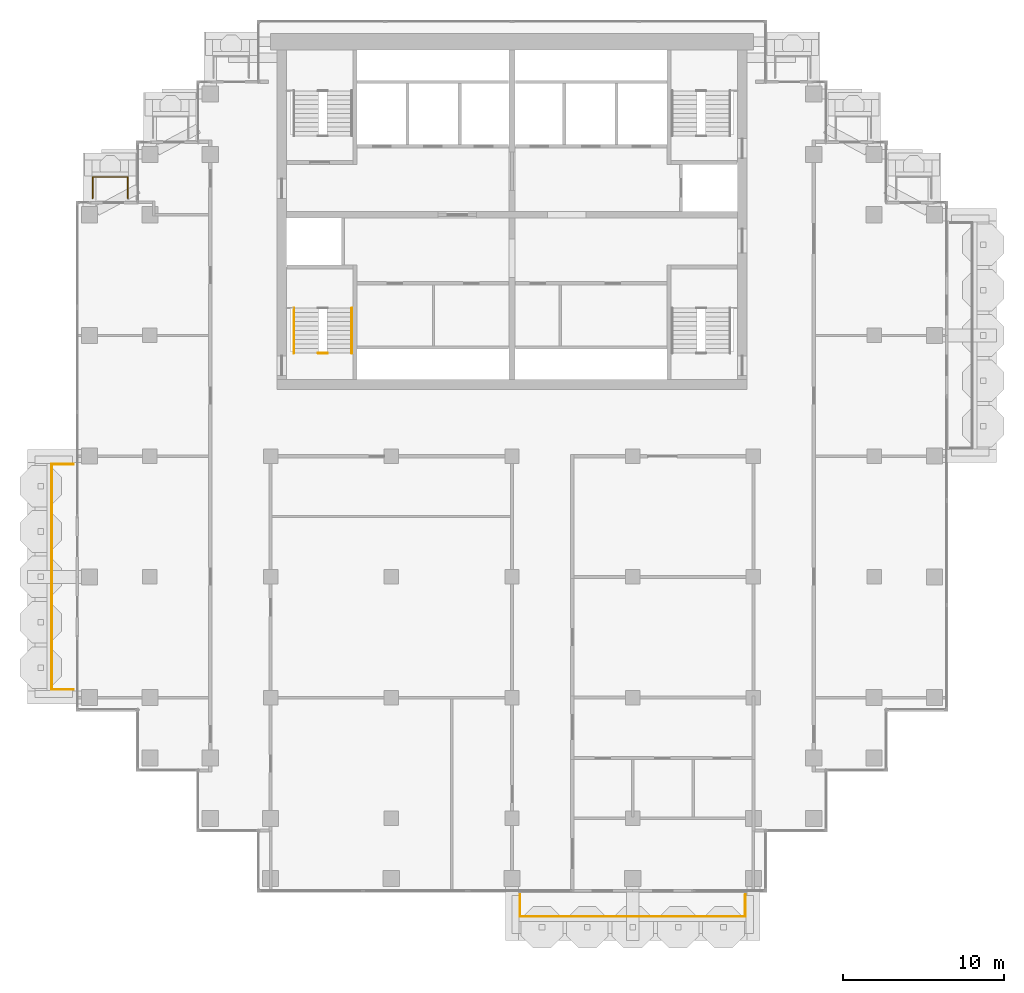
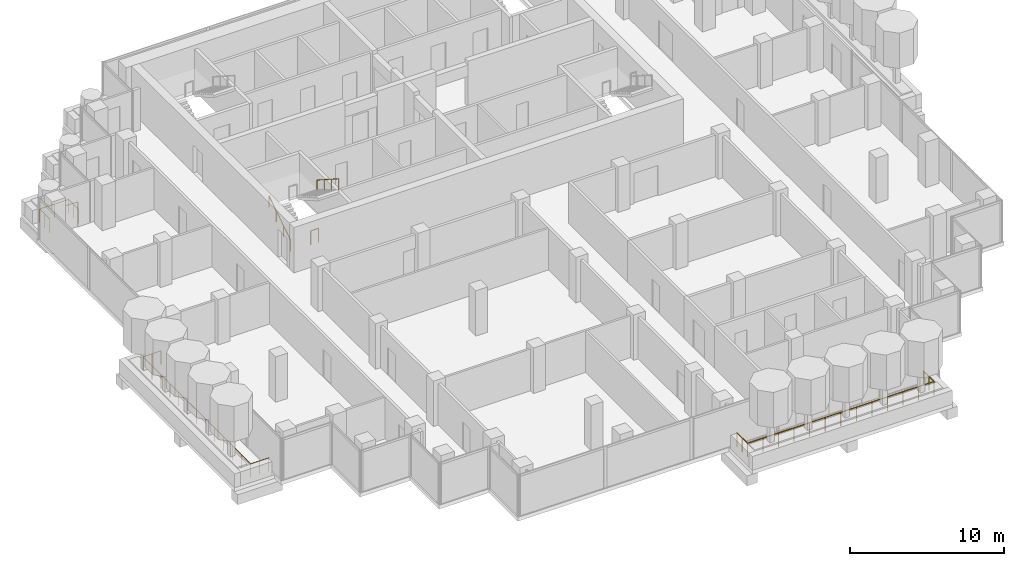
# One storey, part 15 of 18: 6 railings.
"""IFC4 building model written with IfcOpenShell, lengths in metres."""

from ifc_helpers import new_model, si_unit, direction, frame, origin, origin_2d, place, context, subcontext, project, spatial, circle, extrude, material, type_object, element, save


model = new_model("IFC4")

# Units and contexts
model_context = context("Model", 3, precision=1e-05, world=origin(), true_north=direction((0.0, 1.0)))
body_context = subcontext(model_context, "Body", "Model", "MODEL_VIEW")
ifc_project = project(units=[si_unit("LENGTHUNIT", "METRE"), si_unit("AREAUNIT", "SQUARE_METRE"), si_unit("VOLUMEUNIT", "CUBIC_METRE"), si_unit("PLANEANGLEUNIT", "RADIAN"), si_unit("MASSUNIT", "GRAM", prefix="KILO")], contexts=[model_context])

# Site, building, storey
site_placement = place(None, origin())
site = spatial("IfcSite", under=ifc_project, at=site_placement, CompositionType="ELEMENT")
building_placement = place(site_placement, origin())
building = spatial("IfcBuilding", under=site, at=building_placement, Name="Pilkhan Gate Tower", CompositionType="ELEMENT")
storey_placement = place(building_placement, frame((0.0, 0.0, 195.89990234375)))
storey = spatial("IfcBuildingStorey", under=building, at=storey_placement, Name="L50", CompositionType="ELEMENT", Elevation=195.89990234375)

# Railings
ifc_material_1 = material(Name="Pale anodised aluminium posts, laminated glass infill", Category="aluminium")
railing_type_1 = type_object("IfcRailingType", Name="Balcony guard G1", PredefinedType="BALUSTRADE", material=ifc_material_1)
railing_1_placement = place(storey_placement, frame((75.5, 40.25, 0.0)))
element("IfcRailing", 1, at=railing_1_placement, inside=storey, type_object=railing_type_1, Name="Balcony guard L50 S", PredefinedType="BALUSTRADE", context=body_context, shape_type="SweptSolid", body=[
    extrude(circle(Radius=0.02392578125, at=origin_2d()), frame((0.0, 0.0, 1.076171875), z_axis=(0.0, -1.0, 0.0), x_axis=(1.0, 0.0, 0.0)), (0.0, 0.0, 1.0), 1.35009765625),
    extrude(circle(Radius=0.02392578125, at=origin_2d()), frame((0.0, -1.35009765625, 1.076171875), z_axis=(1.0, 0.0, 0.0), x_axis=(0.0, 1.0, 0.0)), (0.0, 0.0, 1.0), 14.0),
    extrude(circle(Radius=0.02392578125, at=origin_2d()), frame((14.0, -1.35009765625, 1.076171875), z_axis=(0.0, 1.0, 0.0), x_axis=(-1.0, 0.0, 0.0)), (0.0, 0.0, 1.0), 1.35009765625),
    extrude(circle(Radius=0.02099609375, at=origin_2d()), origin(), (0.0, 0.0, 1.0), 1.052001953125),
    extrude(circle(Radius=0.02099609375, at=origin_2d()), frame((0.0, -0.675048828125, 0.0)), (0.0, 0.0, 1.0), 1.052001953125),
    extrude(circle(Radius=0.02099609375, at=origin_2d()), frame((0.0, -1.35009765625, 0.0)), (0.0, 0.0, 1.0), 1.052001953125),
    extrude(circle(Radius=0.02099609375, at=origin_2d()), frame((1.166748046875, -1.35009765625, 0.0)), (0.0, 0.0, 1.0), 1.052001953125),
    extrude(circle(Radius=0.02099609375, at=origin_2d()), frame((2.333251953125, -1.35009765625, 0.0)), (0.0, 0.0, 1.0), 1.052001953125),
    extrude(circle(Radius=0.02099609375, at=origin_2d()), frame((3.5, -1.35009765625, 0.0)), (0.0, 0.0, 1.0), 1.052001953125),
    extrude(circle(Radius=0.02099609375, at=origin_2d()), frame((4.666748046875, -1.35009765625, 0.0)), (0.0, 0.0, 1.0), 1.052001953125),
    extrude(circle(Radius=0.02099609375, at=origin_2d()), frame((5.833251953125, -1.35009765625, 0.0)), (0.0, 0.0, 1.0), 1.052001953125),
    extrude(circle(Radius=0.02099609375, at=origin_2d()), frame((7.0, -1.35009765625, 0.0)), (0.0, 0.0, 1.0), 1.052001953125),
    extrude(circle(Radius=0.02099609375, at=origin_2d()), frame((8.166748046875, -1.35009765625, 0.0)), (0.0, 0.0, 1.0), 1.052001953125),
    extrude(circle(Radius=0.02099609375, at=origin_2d()), frame((9.333251953125, -1.35009765625, 0.0)), (0.0, 0.0, 1.0), 1.052001953125),
    extrude(circle(Radius=0.02099609375, at=origin_2d()), frame((10.5, -1.35009765625, 0.0)), (0.0, 0.0, 1.0), 1.052001953125),
    extrude(circle(Radius=0.02099609375, at=origin_2d()), frame((11.666748046875, -1.35009765625, 0.0)), (0.0, 0.0, 1.0), 1.052001953125),
    extrude(circle(Radius=0.02099609375, at=origin_2d()), frame((12.833251953125, -1.35009765625, 0.0)), (0.0, 0.0, 1.0), 1.052001953125),
    extrude(circle(Radius=0.02099609375, at=origin_2d()), frame((14.0, -1.35009765625, 0.0)), (0.0, 0.0, 1.0), 1.052001953125),
    extrude(circle(Radius=0.02099609375, at=origin_2d()), frame((14.0, -0.675048828125, 0.0)), (0.0, 0.0, 1.0), 1.052001953125),
    extrude(circle(Radius=0.02099609375, at=origin_2d()), frame((14.0, 0.0, 0.0)), (0.0, 0.0, 1.0), 1.052001953125),
])
railing_2_placement = place(storey_placement, frame((48.949951171875, 83.52001953125, 0.0)))
element("IfcRailing", 2, at=railing_2_placement, inside=storey, type_object=railing_type_1, Name="Balcony guard L50 N", PredefinedType="BALUSTRADE", context=body_context, shape_type="SweptSolid", body=[
    extrude(circle(Radius=0.02392578125, at=origin_2d()), frame((0.0, 0.0, 1.076171875), z_axis=(0.0, 1.0, 0.0), x_axis=(-1.0, 0.0, 0.0)), (0.0, 0.0, 1.0), 1.330078125),
    extrude(circle(Radius=0.02392578125, at=origin_2d()), frame((0.0, 1.330078125, 1.076171875), z_axis=(1.0, 0.0, 0.0), x_axis=(0.0, 1.0, 0.0)), (0.0, 0.0, 1.0), 2.179931640625),
    extrude(circle(Radius=0.02392578125, at=origin_2d()), frame((2.179931640625, 1.330078125, 1.076171875), z_axis=(0.0, -1.0, 0.0), x_axis=(1.0, 0.0, 0.0)), (0.0, 0.0, 1.0), 1.330078125),
    extrude(circle(Radius=0.02099609375, at=origin_2d()), origin(), (0.0, 0.0, 1.0), 1.052001953125),
    extrude(circle(Radius=0.02099609375, at=origin_2d()), frame((0.0, 0.6650390625, 0.0)), (0.0, 0.0, 1.0), 1.052001953125),
    extrude(circle(Radius=0.02099609375, at=origin_2d()), frame((0.0, 1.330078125, 0.0)), (0.0, 0.0, 1.0), 1.052001953125),
    extrude(circle(Radius=0.02099609375, at=origin_2d()), frame((1.08984375, 1.330078125, 0.0)), (0.0, 0.0, 1.0), 1.052001953125),
    extrude(circle(Radius=0.02099609375, at=origin_2d()), frame((2.179931640625, 1.330078125, 0.0)), (0.0, 0.0, 1.0), 1.052001953125),
    extrude(circle(Radius=0.02099609375, at=origin_2d()), frame((2.179931640625, 0.6650390625, 0.0)), (0.0, 0.0, 1.0), 1.052001953125),
    extrude(circle(Radius=0.02099609375, at=origin_2d()), frame((2.179931640625, 0.0, 0.0)), (0.0, 0.0, 1.0), 1.052001953125),
])
railing_3_placement = place(storey_placement, frame((47.75, 53.0, 0.0)))
element("IfcRailing", 3, at=railing_3_placement, inside=storey, type_object=railing_type_1, Name="Balcony guard L50 W", PredefinedType="BALUSTRADE", context=body_context, shape_type="SweptSolid", body=[
    extrude(circle(Radius=0.02392578125, at=origin_2d()), frame((0.0, 0.0, 1.076171875), z_axis=(-1.0, 0.0, 0.0), x_axis=(0.0, -1.0, 0.0)), (0.0, 0.0, 1.0), 1.35009765625),
    extrude(circle(Radius=0.02392578125, at=origin_2d()), frame((-1.35009765625, 0.0, 1.076171875), z_axis=(0.0, 1.0, 0.0), x_axis=(-1.0, 0.0, 0.0)), (0.0, 0.0, 1.0), 14.0),
    extrude(circle(Radius=0.02392578125, at=origin_2d()), frame((-1.35009765625, 14.0, 1.076171875), z_axis=(1.0, 0.0, 0.0), x_axis=(0.0, 1.0, 0.0)), (0.0, 0.0, 1.0), 1.35009765625),
    extrude(circle(Radius=0.02099609375, at=origin_2d()), origin(), (0.0, 0.0, 1.0), 1.052001953125),
    extrude(circle(Radius=0.02099609375, at=origin_2d()), frame((-0.675048828125, 0.0, 0.0)), (0.0, 0.0, 1.0), 1.052001953125),
    extrude(circle(Radius=0.02099609375, at=origin_2d()), frame((-1.35009765625, 0.0, 0.0)), (0.0, 0.0, 1.0), 1.052001953125),
    extrude(circle(Radius=0.02099609375, at=origin_2d()), frame((-1.35009765625, 1.166748046875, 0.0)), (0.0, 0.0, 1.0), 1.052001953125),
    extrude(circle(Radius=0.02099609375, at=origin_2d()), frame((-1.35009765625, 2.333251953125, 0.0)), (0.0, 0.0, 1.0), 1.052001953125),
    extrude(circle(Radius=0.02099609375, at=origin_2d()), frame((-1.35009765625, 3.5, 0.0)), (0.0, 0.0, 1.0), 1.052001953125),
    extrude(circle(Radius=0.02099609375, at=origin_2d()), frame((-1.35009765625, 4.666748046875, 0.0)), (0.0, 0.0, 1.0), 1.052001953125),
    extrude(circle(Radius=0.02099609375, at=origin_2d()), frame((-1.35009765625, 5.833251953125, 0.0)), (0.0, 0.0, 1.0), 1.052001953125),
    extrude(circle(Radius=0.02099609375, at=origin_2d()), frame((-1.35009765625, 7.0, 0.0)), (0.0, 0.0, 1.0), 1.052001953125),
    extrude(circle(Radius=0.02099609375, at=origin_2d()), frame((-1.35009765625, 8.166748046875, 0.0)), (0.0, 0.0, 1.0), 1.052001953125),
    extrude(circle(Radius=0.02099609375, at=origin_2d()), frame((-1.35009765625, 9.333251953125, 0.0)), (0.0, 0.0, 1.0), 1.052001953125),
    extrude(circle(Radius=0.02099609375, at=origin_2d()), frame((-1.35009765625, 10.5, 0.0)), (0.0, 0.0, 1.0), 1.052001953125),
    extrude(circle(Radius=0.02099609375, at=origin_2d()), frame((-1.35009765625, 11.666748046875, 0.0)), (0.0, 0.0, 1.0), 1.052001953125),
    extrude(circle(Radius=0.02099609375, at=origin_2d()), frame((-1.35009765625, 12.833251953125, 0.0)), (0.0, 0.0, 1.0), 1.052001953125),
    extrude(circle(Radius=0.02099609375, at=origin_2d()), frame((-1.35009765625, 14.0, 0.0)), (0.0, 0.0, 1.0), 1.052001953125),
    extrude(circle(Radius=0.02099609375, at=origin_2d()), frame((-0.675048828125, 14.0, 0.0)), (0.0, 0.0, 1.0), 1.052001953125),
    extrude(circle(Radius=0.02099609375, at=origin_2d()), frame((0.0, 14.0, 0.0)), (0.0, 0.0, 1.0), 1.052001953125),
])
ifc_material_2 = material(Name="Black powder-coated steel tube", Category="steel")
railing_type_2 = type_object("IfcRailingType", Name="Stair handrail HR1", PredefinedType="HANDRAIL", material=ifc_material_2)
railing_4_placement = place(storey_placement, frame((61.449951171875, 73.89990234375, 0.0)))
element("IfcRailing", 4, at=railing_4_placement, inside=storey, type_object=railing_type_2, Name="Stair ST2 handrail L50", PredefinedType="HANDRAIL", context=body_context, shape_type="SweptSolid", body=[
    extrude(circle(Radius=0.02392578125, at=origin_2d()), frame((0.0, 0.0, 0.8759765625), z_axis=(0.0, 0.841176092368, 0.540761298198), x_axis=(-1.0, 0.0, 0.0)), (0.0, 0.0, 1.0), 3.32861328125),
    extrude(circle(Radius=0.02099609375, at=origin_2d()), origin(), (0.0, 0.0, 1.0), 0.851806640625),
    extrude(circle(Radius=0.02099609375, at=origin_2d()), frame((0.0, 0.933349609375, 0.60009765625)), (0.0, 0.0, 1.0), 0.851806640625),
    extrude(circle(Radius=0.02099609375, at=origin_2d()), frame((0.0, 1.86669921875, 1.199951171875)), (0.0, 0.0, 1.0), 0.851806640625),
    extrude(circle(Radius=0.02099609375, at=origin_2d()), frame((0.0, 2.800048828125, 1.800048828125)), (0.0, 0.0, 1.0), 0.851806640625),
])
railing_5_placement = place(storey_placement, frame((65.050048828125, 76.699951171875, 1.800048828125)))
element("IfcRailing", 5, at=railing_5_placement, inside=storey, type_object=railing_type_2, Name="Stair ST2 handrail L50", PredefinedType="HANDRAIL", context=body_context, shape_type="SweptSolid", body=[
    extrude(circle(Radius=0.02392578125, at=origin_2d()), frame((0.0, 0.0, 0.8759765625), z_axis=(0.0, -0.841176092368, 0.540761298198), x_axis=(1.0, 0.0, 0.0)), (0.0, 0.0, 1.0), 3.32861328125),
    extrude(circle(Radius=0.02099609375, at=origin_2d()), origin(), (0.0, 0.0, 1.0), 0.851806640625),
    extrude(circle(Radius=0.02099609375, at=origin_2d()), frame((0.0, -0.933349609375, 0.60009765625)), (0.0, 0.0, 1.0), 0.851806640625),
    extrude(circle(Radius=0.02099609375, at=origin_2d()), frame((0.0, -1.86669921875, 1.199951171875)), (0.0, 0.0, 1.0), 0.851806640625),
    extrude(circle(Radius=0.02099609375, at=origin_2d()), frame((0.0, -2.800048828125, 1.800048828125)), (0.0, 0.0, 1.0), 0.851806640625),
])
ifc_material_3 = material(Name="Black powder-coated steel balusters", Category="steel")
railing_type_3 = type_object("IfcRailingType", Name="Stair well guard G3", PredefinedType="GUARDRAIL", material=ifc_material_3)
railing_6_placement = place(storey_placement, frame((62.9599609375, 73.89990234375, 0.0)))
element("IfcRailing", 6, at=railing_6_placement, inside=storey, type_object=railing_type_3, Name="Stair ST2 well guard L50", PredefinedType="GUARDRAIL", context=body_context, shape_type="SweptSolid", body=[
    extrude(circle(Radius=0.02392578125, at=origin_2d()), frame((0.0, 0.0, 1.076171875), z_axis=(1.0, 0.0, 0.0), x_axis=(0.0, 1.0, 0.0)), (0.0, 0.0, 1.0), 0.580078125),
    extrude(circle(Radius=0.02099609375, at=origin_2d()), origin(), (0.0, 0.0, 1.0), 1.052001953125),
    extrude(circle(Radius=0.02099609375, at=origin_2d()), frame((0.580078125, 0.0, 0.0)), (0.0, 0.0, 1.0), 1.052001953125),
])

save(model, "model.ifc")
